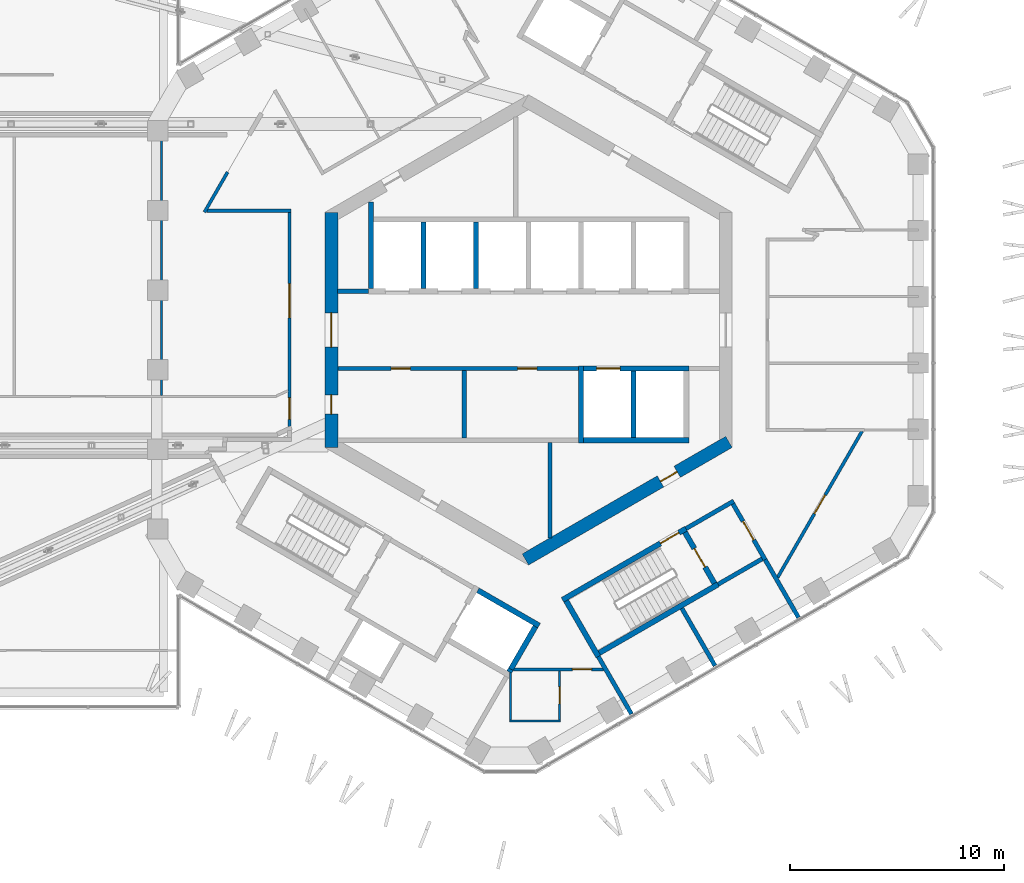
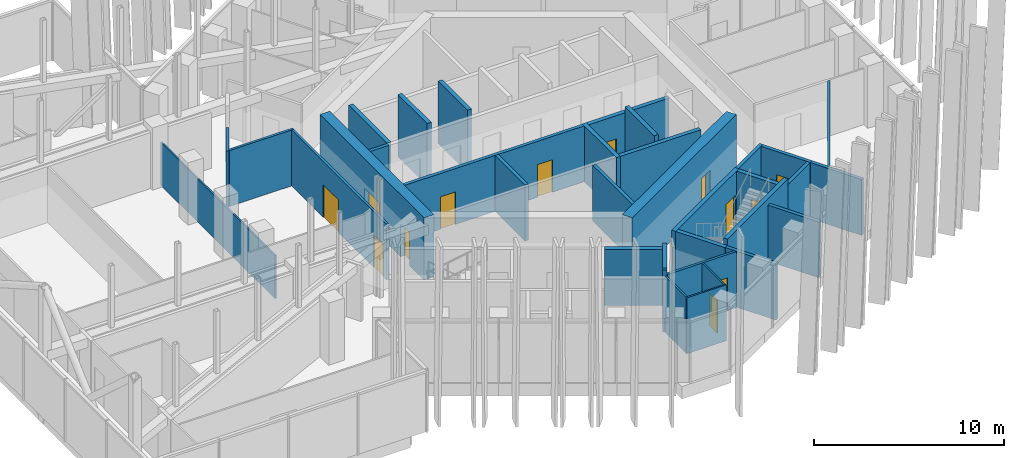
# One storey, part 19 of 28: 35 walls, 14 doors, 14 openings.
"""IFC4 building model written with IfcOpenShell, lengths in metres."""

from ifc_helpers import new_model, si_unit, direction, frame, frame_2d, origin, place, context, subcontext, project, spatial, rectangle, extrude, material, layer, layer_set, type_object, element, fill, save


model = new_model("IFC4")

# Units and contexts
model_context = context("Model", 3, precision=1e-05, world=origin(), true_north=direction((0.0, 1.0)))
body_context = subcontext(model_context, "Body", "Model", "MODEL_VIEW")
ifc_project = project(units=[si_unit("LENGTHUNIT", "METRE"), si_unit("AREAUNIT", "SQUARE_METRE"), si_unit("VOLUMEUNIT", "CUBIC_METRE"), si_unit("PLANEANGLEUNIT", "RADIAN"), si_unit("MASSUNIT", "GRAM", prefix="KILO")], contexts=[model_context])

# Site, building, storey
site_placement = place(None, origin())
site = spatial("IfcSite", under=ifc_project, at=site_placement, CompositionType="ELEMENT")
building_placement = place(site_placement, origin())
building = spatial("IfcBuilding", under=site, at=building_placement, Name="Ayvan Gate Tower", CompositionType="ELEMENT")
storey_placement = place(building_placement, frame((0.0, 0.0, 202.10009765625)))
storey = spatial("IfcBuildingStorey", under=building, at=storey_placement, Name="L54", CompositionType="ELEMENT", Elevation=202.10009765625)

# Wall, openings, doors
ifc_material_1 = material(Name="Concrete C60/75", Category="concrete")
ifc_layer_1 = layer(ifc_material_1, 0.60009765625)
ifc_layer_set_1 = layer_set([ifc_layer_1], Name="Concrete C60/75")
wall_type_1 = type_object("IfcWallType", Name="Core wall 600 C60/75", PredefinedType="SHEAR", material=ifc_layer_set_1)
wall_1_placement = place(storey_placement, frame((-9.199951171875, 5.48486328125, 0.0), z_axis=(0.0, 0.0, 1.0), x_axis=(0.0, -1.0, 0.0)))
wall_1 = element("IfcWall", 1, at=wall_1_placement, inside=storey, type_object=wall_type_1, Name="CORE-L54-3", PredefinedType="SHEAR", context=body_context, shape_type="SweptSolid", body=[
    extrude(rectangle(XDim=10.9697265625, YDim=0.60009765625, at=frame_2d((5.48486328125, 0.0))), origin(), (0.0, 0.0, 1.0), 4.0),
])
opening_1_placement = place(wall_1_placement, frame((8.51611328125, 0.0, 0.0)))
opening_1 = element("IfcOpeningElement", 2, at=opening_1_placement, cuts=wall_1, Name="Opening L54-D49", PredefinedType="OPENING", context=body_context, shape_type="SweptSolid", body=[
    extrude(rectangle(XDim=0.89990234375, YDim=2.10009765625, at=frame_2d((0.449951171875, 1.050048828125))), frame((0.0, 0.31005859375, 0.0), z_axis=(0.0, -1.0, 0.0), x_axis=(1.0, 0.0, 0.0)), (0.0, 0.0, 1.0), 0.6201171875),
])
opening_2_placement = place(wall_1_placement, frame((4.684814453125, 0.0, 0.0)))
opening_2 = element("IfcOpeningElement", 3, at=opening_2_placement, cuts=wall_1, Name="Opening L54-D51", PredefinedType="OPENING", context=body_context, shape_type="SweptSolid", body=[
    extrude(rectangle(XDim=1.60009765625, YDim=2.10009765625, at=frame_2d((0.800048828125, 1.050048828125))), frame((0.0, 0.31005859375, 0.0), z_axis=(0.0, -1.0, 0.0), x_axis=(1.0, 0.0, 0.0)), (0.0, 0.0, 1.0), 0.6201171875),
])
ifc_material_2 = material(Name="Timber door leaf", Category="wood")
door_type_1 = type_object("IfcDoorType", Name="DT-1600", OperationType="NOTDEFINED", PredefinedType="DOOR", material=ifc_material_2)
door_1_placement = place(opening_2_placement, origin())
door_1 = element("IfcDoor", 4, at=door_1_placement, inside=storey, type_object=door_type_1, Name="CD-L54-51", OperationType="SINGLE_SWING_LEFT", OverallHeight=2.10009765625, OverallWidth=1.60009765625, PredefinedType="DOOR", context=body_context, shape_type="SweptSolid", body=[
    extrude(rectangle(XDim=1.60009765625, YDim=2.10009765625, at=frame_2d((0.800048828125, 1.050048828125))), frame((0.0, 0.02490234375, 0.0), z_axis=(0.0, -1.0, 0.0), x_axis=(1.0, 0.0, 0.0)), (0.0, 0.0, 1.0), 0.050048828125),
])
fill(opening_2, door_1)
door_type_2 = type_object("IfcDoorType", Name="DT-900", OperationType="NOTDEFINED", PredefinedType="DOOR", material=ifc_material_2)
door_2_placement = place(opening_1_placement, origin())
door_2 = element("IfcDoor", 5, at=door_2_placement, inside=storey, type_object=door_type_2, Name="CD-L54-49", OperationType="SINGLE_SWING_LEFT", OverallHeight=2.10009765625, OverallWidth=0.89990234375, PredefinedType="DOOR", context=body_context, shape_type="SweptSolid", body=[
    extrude(rectangle(XDim=0.89990234375, YDim=2.10009765625, at=frame_2d((0.449951171875, 1.050048828125))), frame((0.0, 0.02490234375, 0.0), z_axis=(0.0, -1.0, 0.0), x_axis=(1.0, 0.0, 0.0)), (0.0, 0.0, 1.0), 0.050048828125),
])
fill(opening_1, door_2)

# Wall, opening, door
wall_2_placement = place(storey_placement, frame((-0.14990234375, -10.7099609375, 0.0), z_axis=(0.0, 0.0, 1.0), x_axis=(0.866023993627, 0.500002442456, 0.0)))
wall_2 = element("IfcWall", 6, at=wall_2_placement, inside=storey, type_object=wall_type_1, Name="CORE-L54-5", PredefinedType="SHEAR", context=body_context, shape_type="SweptSolid", body=[
    extrude(rectangle(XDim=10.9697265625, YDim=0.60009765625, at=frame_2d((5.48486328125, 0.0))), origin(), (0.0, 0.0, 1.0), 4.0),
])
opening_3_placement = place(wall_2_placement, frame((7.28125, 0.0, 0.0)))
opening_3 = element("IfcOpeningElement", 7, at=opening_3_placement, cuts=wall_2, Name="Opening L54-D48", PredefinedType="OPENING", context=body_context, shape_type="SweptSolid", body=[
    extrude(rectangle(XDim=0.89990234375, YDim=2.10009765625, at=frame_2d((0.449951171875, 1.050048828125))), frame((0.0, 0.31005859375, 0.0), z_axis=(0.0, -1.0, 0.0), x_axis=(1.0, 0.0, 0.0)), (0.0, 0.0, 1.0), 0.6201171875),
])
door_3_placement = place(opening_3_placement, origin())
door_3 = element("IfcDoor", 8, at=door_3_placement, inside=storey, type_object=door_type_2, Name="CD-L54-48", OperationType="SINGLE_SWING_RIGHT", OverallHeight=2.10009765625, OverallWidth=0.89990234375, PredefinedType="DOOR", context=body_context, shape_type="SweptSolid", body=[
    extrude(rectangle(XDim=0.89990234375, YDim=2.10009765625, at=frame_2d((0.449951171875, 1.050048828125))), frame((0.0, 0.02490234375, 0.0), z_axis=(0.0, -1.0, 0.0), x_axis=(1.0, 0.0, 0.0)), (0.0, 0.0, 1.0), 0.050048828125),
])
fill(opening_3, door_3)

# Walls
ifc_material_3 = material(Name="Plasterboard on steel stud", Category="steel")
ifc_layer_2 = layer(ifc_material_3, 0.14990234375)
ifc_layer_set_2 = layer_set([ifc_layer_2], Name="Plasterboard on steel stud")
wall_type_2 = type_object("IfcWallType", Name="WT-CORR-150", PredefinedType="PARTITIONING", material=ifc_layer_set_2)
wall_3_placement = place(storey_placement, frame((-15.115966796875, 5.494384765625, 0.0), z_axis=(0.0, 0.0, 1.0), x_axis=(0.499918713684, 0.866072329375, 0.0)))
element("IfcWall", 9, at=wall_3_placement, inside=storey, type_object=wall_type_2, Name="IW-L54-024", PredefinedType="PARTITIONING", context=body_context, shape_type="SweptSolid", body=[
    extrude(rectangle(XDim=2.153564453125, YDim=0.14990234375, at=frame_2d((1.07666015625, 0.0))), origin(), (0.0, 0.0, 1.0), 3.599853515625),
])
wall_4_placement = place(storey_placement, frame((-11.074951171875, 5.5595703125, 0.0), z_axis=(0.0, 0.0, 1.0), x_axis=(-1.0, 0.0, 0.0)))
element("IfcWall", 10, at=wall_4_placement, inside=storey, type_object=wall_type_2, Name="IW-L54-039", PredefinedType="PARTITIONING", context=body_context, shape_type="SweptSolid", body=[
    extrude(rectangle(XDim=3.928466796875, YDim=0.14990234375, at=frame_2d((1.96435546875, 0.0))), origin(), (0.0, 0.0, 1.0), 3.599853515625),
])

# Wall, openings, doors
wall_5_placement = place(storey_placement, frame((-11.14990234375, -4.5029296875, 0.0), z_axis=(0.0, 0.0, 1.0), x_axis=(0.0, 1.0, 0.0)))
wall_5 = element("IfcWall", 11, at=wall_5_placement, inside=storey, type_object=wall_type_2, Name="IW-L54-041", PredefinedType="PARTITIONING", context=body_context, shape_type="SweptSolid", body=[
    extrude(rectangle(XDim=9.987548828125, YDim=0.14990234375, at=frame_2d((4.99365234375, 0.0))), origin(), (0.0, 0.0, 1.0), 3.599853515625),
])
opening_4_placement = place(wall_5_placement, frame((0.33349609375, 0.0, 0.0)))
opening_4 = element("IfcOpeningElement", 12, at=opening_4_placement, cuts=wall_5, Name="Opening L54-D37", PredefinedType="OPENING", context=body_context, shape_type="SweptSolid", body=[
    extrude(rectangle(XDim=1.0, YDim=2.10009765625, at=frame_2d((0.5, 1.050048828125))), frame((0.0, 0.0849609375, 0.0), z_axis=(0.0, -1.0, 0.0), x_axis=(1.0, 0.0, 0.0)), (0.0, 0.0, 1.0), 0.169921875),
])
opening_5_placement = place(wall_5_placement, frame((5.058837890625, 0.0, 0.0)))
opening_5 = element("IfcOpeningElement", 13, at=opening_5_placement, cuts=wall_5, Name="Opening L54-D38", PredefinedType="OPENING", context=body_context, shape_type="SweptSolid", body=[
    extrude(rectangle(XDim=1.60009765625, YDim=2.10009765625, at=frame_2d((0.800048828125, 1.050048828125))), frame((0.0, 0.0849609375, 0.0), z_axis=(0.0, -1.0, 0.0), x_axis=(1.0, 0.0, 0.0)), (0.0, 0.0, 1.0), 0.169921875),
])
door_type_3 = type_object("IfcDoorType", Name="DT-1000", OperationType="NOTDEFINED", PredefinedType="DOOR", material=ifc_material_2)
door_4_placement = place(opening_4_placement, origin())
door_4 = element("IfcDoor", 14, at=door_4_placement, inside=storey, type_object=door_type_3, Name="ID-L54-037", OperationType="SINGLE_SWING_LEFT", OverallHeight=2.10009765625, OverallWidth=1.0, PredefinedType="DOOR", context=body_context, shape_type="SweptSolid", body=[
    extrude(rectangle(XDim=1.0, YDim=2.10009765625, at=frame_2d((0.5, 1.050048828125))), frame((0.0, 0.02490234375, 0.0), z_axis=(0.0, -1.0, 0.0), x_axis=(1.0, 0.0, 0.0)), (0.0, 0.0, 1.0), 0.050048828125),
])
fill(opening_4, door_4)
door_5_placement = place(opening_5_placement, origin())
door_5 = element("IfcDoor", 15, at=door_5_placement, inside=storey, type_object=door_type_1, Name="ID-L54-038", OperationType="SINGLE_SWING_RIGHT", OverallHeight=2.10009765625, OverallWidth=1.60009765625, PredefinedType="DOOR", context=body_context, shape_type="SweptSolid", body=[
    extrude(rectangle(XDim=1.60009765625, YDim=2.10009765625, at=frame_2d((0.800048828125, 1.050048828125))), frame((0.0, 0.02490234375, 0.0), z_axis=(0.0, -1.0, 0.0), x_axis=(1.0, 0.0, 0.0)), (0.0, 0.0, 1.0), 0.050048828125),
])
fill(opening_5, door_5)

# Wall, opening, door
wall_6_placement = place(storey_placement, frame((-0.705322265625, -15.838134765625, 0.0), z_axis=(0.0, 0.0, 1.0), x_axis=(1.0, 0.0, 0.0)))
wall_6 = element("IfcWall", 16, at=wall_6_placement, inside=storey, type_object=wall_type_2, Name="IW-L54-085", PredefinedType="PARTITIONING", context=body_context, shape_type="SweptSolid", body=[
    extrude(rectangle(XDim=4.206787109375, YDim=0.14990234375, at=frame_2d((2.103515625, 0.0))), origin(), (0.0, 0.0, 1.0), 3.599853515625),
])
opening_6_placement = place(wall_6_placement, frame((2.747314453125, 0.0, 0.0)))
opening_6 = element("IfcOpeningElement", 17, at=opening_6_placement, cuts=wall_6, Name="Opening L54-D27", PredefinedType="OPENING", context=body_context, shape_type="SweptSolid", body=[
    extrude(rectangle(XDim=0.89990234375, YDim=2.10009765625, at=frame_2d((0.449951171875, 1.050048828125))), frame((0.0, 0.0849609375, 0.0), z_axis=(0.0, -1.0, 0.0), x_axis=(1.0, 0.0, 0.0)), (0.0, 0.0, 1.0), 0.169921875),
])
door_6_placement = place(opening_6_placement, origin())
door_6 = element("IfcDoor", 18, at=door_6_placement, inside=storey, type_object=door_type_2, Name="ID-L54-027", OperationType="SINGLE_SWING_LEFT", OverallHeight=2.10009765625, OverallWidth=0.89990234375, PredefinedType="DOOR", context=body_context, shape_type="SweptSolid", body=[
    extrude(rectangle(XDim=0.89990234375, YDim=2.10009765625, at=frame_2d((0.449951171875, 1.050048828125))), frame((0.0, 0.02490234375, 0.0), z_axis=(0.0, -1.0, 0.0), x_axis=(1.0, 0.0, 0.0)), (0.0, 0.0, 1.0), 0.050048828125),
])
fill(opening_6, door_6)

wall_7_placement = place(storey_placement, frame((15.558349609375, -4.728271484375, 0.0), z_axis=(0.0, 0.0, 1.0), x_axis=(-0.500004989119, -0.866022523296, 0.0)))
wall_7 = element("IfcWall", 19, at=wall_7_placement, inside=storey, type_object=wall_type_2, Name="IW-L54-130", PredefinedType="PARTITIONING", context=body_context, shape_type="SweptSolid", body=[
    extrude(rectangle(XDim=7.87890625, YDim=0.14990234375, at=frame_2d((3.939453125, 0.0))), origin(), (0.0, 0.0, 1.0), 3.599853515625),
])
opening_7_placement = place(wall_7_placement, frame((3.439208984375, 0.0, 0.0)))
opening_7 = element("IfcOpeningElement", 20, at=opening_7_placement, cuts=wall_7, Name="Opening L54-D29", PredefinedType="OPENING", context=body_context, shape_type="SweptSolid", body=[
    extrude(rectangle(XDim=1.0, YDim=2.10009765625, at=frame_2d((0.5, 1.050048828125))), frame((0.0, 0.0849609375, 0.0), z_axis=(0.0, -1.0, 0.0), x_axis=(1.0, 0.0, 0.0)), (0.0, 0.0, 1.0), 0.169921875),
])
door_7_placement = place(opening_7_placement, origin())
door_7 = element("IfcDoor", 21, at=door_7_placement, inside=storey, type_object=door_type_3, Name="ID-L54-029", OperationType="SINGLE_SWING_LEFT", OverallHeight=2.10009765625, OverallWidth=1.0, PredefinedType="DOOR", context=body_context, shape_type="SweptSolid", body=[
    extrude(rectangle(XDim=1.0, YDim=2.10009765625, at=frame_2d((0.5, 1.050048828125))), frame((0.0, 0.02490234375, 0.0), z_axis=(0.0, -1.0, 0.0), x_axis=(1.0, 0.0, 0.0)), (0.0, 0.0, 1.0), 0.050048828125),
])
fill(opening_7, door_7)

# Walls
ifc_layer_3 = layer(ifc_material_3, 0.10009765625)
ifc_layer_set_3 = layer_set([ifc_layer_3], Name="Plasterboard on steel stud")
wall_type_3 = type_object("IfcWallType", Name="WT-PART-100", PredefinedType="PARTITIONING", material=ifc_layer_set_3)
wall_8_placement = place(storey_placement, frame((-17.115478515625, -3.050048828125, 0.0), z_axis=(0.0, 0.0, 1.0), x_axis=(0.0, 1.0, 0.0)))
element("IfcWall", 22, at=wall_8_placement, inside=storey, type_object=wall_type_3, Name="IW-L54-022", PredefinedType="PARTITIONING", context=body_context, shape_type="SweptSolid", body=[
    extrude(rectangle(XDim=12.050048828125, YDim=0.10009765625, at=frame_2d((6.02490234375, 0.0))), origin(), (0.0, 0.0, 1.0), 2.77490234375),
])
wall_9_placement = place(storey_placement, frame((-0.897705078125, -18.238037109375, 0.0), z_axis=(0.0, 0.0, 1.0), x_axis=(1.0, 0.0, 0.0)))
element("IfcWall", 23, at=wall_9_placement, inside=storey, type_object=wall_type_3, Name="IW-L54-073", PredefinedType="PARTITIONING", context=body_context, shape_type="SweptSolid", body=[
    extrude(rectangle(XDim=2.400146484375, YDim=0.10009765625, at=frame_2d((1.2001953125, 0.0))), origin(), (0.0, 0.0, 1.0), 3.599853515625),
])
wall_10_placement = place(storey_placement, frame((-0.84765625, -15.9931640625, 0.0), z_axis=(0.0, 0.0, 1.0), x_axis=(0.0, -1.0, 0.0)))
element("IfcWall", 24, at=wall_10_placement, inside=storey, type_object=wall_type_3, Name="IW-L54-074", PredefinedType="PARTITIONING", context=body_context, shape_type="SweptSolid", body=[
    extrude(rectangle(XDim=2.19482421875, YDim=0.10009765625, at=frame_2d((1.097412109375, 0.0))), origin(), (0.0, 0.0, 1.0), 3.599853515625),
])

# Wall, opening, door
wall_11_placement = place(storey_placement, frame((1.452392578125, -18.18798828125, 0.0), z_axis=(0.0, 0.0, 1.0), x_axis=(0.0, 1.0, 0.0)))
wall_11 = element("IfcWall", 25, at=wall_11_placement, inside=storey, type_object=wall_type_3, Name="IW-L54-084", PredefinedType="PARTITIONING", context=body_context, shape_type="SweptSolid", body=[
    extrude(rectangle(XDim=2.27490234375, YDim=0.10009765625, at=frame_2d((1.137451171875, 0.0))), origin(), (0.0, 0.0, 1.0), 3.599853515625),
])
opening_8_placement = place(wall_11_placement, frame((0.737548828125, 0.0, 0.0)))
opening_8 = element("IfcOpeningElement", 26, at=opening_8_placement, cuts=wall_11, Name="Opening L54-D28", PredefinedType="OPENING", context=body_context, shape_type="SweptSolid", body=[
    extrude(rectangle(XDim=0.800048828125, YDim=2.10009765625, at=frame_2d((0.39990234375, 1.050048828125))), frame((0.0, 0.06005859375, 0.0), z_axis=(0.0, -1.0, 0.0), x_axis=(1.0, 0.0, 0.0)), (0.0, 0.0, 1.0), 0.1201171875),
])
door_type_4 = type_object("IfcDoorType", Name="DT-800", OperationType="NOTDEFINED", PredefinedType="DOOR", material=ifc_material_2)
door_8_placement = place(opening_8_placement, origin())
door_8 = element("IfcDoor", 27, at=door_8_placement, inside=storey, type_object=door_type_4, Name="ID-L54-028", OperationType="SINGLE_SWING_RIGHT", OverallHeight=2.10009765625, OverallWidth=0.800048828125, PredefinedType="DOOR", context=body_context, shape_type="SweptSolid", body=[
    extrude(rectangle(XDim=0.800048828125, YDim=2.10009765625, at=frame_2d((0.39990234375, 1.050048828125))), frame((0.0, 0.02490234375, 0.0), z_axis=(0.0, -1.0, 0.0), x_axis=(1.0, 0.0, 0.0)), (0.0, 0.0, 1.0), 0.050048828125),
])
fill(opening_8, door_8)

# Walls
ifc_layer_4 = layer(ifc_material_3, 0.199951171875)
ifc_layer_set_4 = layer_set([ifc_layer_4], Name="Plasterboard on steel stud")
wall_type_4 = type_object("IfcWallType", Name="WT-PLUMB-200", PredefinedType="PLUMBINGWALL", material=ifc_layer_set_4)
for number, where, z_axis, x_axis, name in (
    (28, (3.255615234375, -15.23876953125, 0.0), (0.0, 0.0, 1.0), (0.499981900942, -0.866035853028, 0.0), "IW-L54-094"),
    (29, (7.152587890625, -12.98876953125, 0.0), (0.0, 0.0, 1.0), (0.499981900942, -0.866035853028, 0.0), "IW-L54-103"),
):
    element("IfcWall", number, at=place(storey_placement, frame(where, z_axis=z_axis, x_axis=x_axis)), inside=storey, type_object=wall_type_4, Name=name, PredefinedType="PLUMBINGWALL", context=body_context, shape_type="SweptSolid", body=[
        extrude(rectangle(XDim=3.09521484375, YDim=0.199951171875, at=frame_2d((1.547607421875, 0.0))), origin(), (0.0, 0.0, 1.0), 3.599853515625),
    ])
wall_12_placement = place(storey_placement, frame((11.037353515625, -10.71728515625, 0.0), z_axis=(0.0, 0.0, 1.0), x_axis=(0.499993381564, -0.866029224906, 0.0)))
element("IfcWall", 30, at=wall_12_placement, inside=storey, type_object=wall_type_4, Name="IW-L54-115", PredefinedType="PLUMBINGWALL", context=body_context, shape_type="SweptSolid", body=[
    extrude(rectangle(XDim=3.1201171875, YDim=0.199951171875, at=frame_2d((1.56005859375, 0.0))), origin(), (0.0, 0.0, 1.0), 3.599853515625),
])
wall_13_placement = place(storey_placement, frame((10.900634765625, -10.6806640625, 0.0), z_axis=(0.0, 0.0, 1.0), x_axis=(-0.866007538022, -0.500030943131, 0.0)))
element("IfcWall", 31, at=wall_13_placement, inside=storey, type_object=wall_type_4, Name="IW-L54-116", PredefinedType="PLUMBINGWALL", context=body_context, shape_type="SweptSolid", body=[
    extrude(rectangle(XDim=2.374755859375, YDim=0.199951171875, at=frame_2d((1.1875, 0.0))), origin(), (0.0, 0.0, 1.0), 3.599853515625),
])
ifc_layer_5 = layer(ifc_material_3, 0.199951171875)
ifc_layer_set_5 = layer_set([ifc_layer_5], Name="Plasterboard on steel stud")
wall_type_5 = type_object("IfcWallType", Name="WT-RATED-200", PredefinedType="PARTITIONING", material=ifc_layer_set_5)
wall_14_placement = place(storey_placement, frame((-8.89990234375, 1.800048828125, 0.0), z_axis=(0.0, 0.0, 1.0), x_axis=(1.0, 0.0, 0.0)))
element("IfcWall", 32, at=wall_14_placement, inside=storey, type_object=wall_type_5, Name="IW-L54-043", PredefinedType="PARTITIONING", context=body_context, shape_type="SweptSolid", body=[
    extrude(rectangle(XDim=1.425048828125, YDim=0.199951171875, at=frame_2d((0.71240234375, 0.0))), origin(), (0.0, 0.0, 1.0), 3.599853515625),
])
wall_15_placement = place(storey_placement, frame((-3.0, -1.89990234375, 0.0), z_axis=(0.0, 0.0, 1.0), x_axis=(0.0, -1.0, 0.0)))
element("IfcWall", 33, at=wall_15_placement, inside=storey, type_object=wall_type_5, Name="IW-L54-060", PredefinedType="PARTITIONING", context=body_context, shape_type="SweptSolid", body=[
    extrude(rectangle(XDim=3.150146484375, YDim=0.199951171875, at=frame_2d((1.5751953125, 0.0))), origin(), (0.0, 0.0, 1.0), 3.599853515625),
])

# Wall, openings, doors
wall_16_placement = place(storey_placement, frame((-8.89990234375, -1.800048828125, 0.0), z_axis=(0.0, 0.0, 1.0), x_axis=(1.0, 0.0, 0.0)))
wall_16 = element("IfcWall", 34, at=wall_16_placement, inside=storey, type_object=wall_type_5, Name="IW-L54-061", PredefinedType="PARTITIONING", context=body_context, shape_type="SweptSolid", body=[
    extrude(rectangle(XDim=11.22509765625, YDim=0.199951171875, at=frame_2d((5.612548828125, 0.0))), origin(), (0.0, 0.0, 1.0), 3.599853515625),
])
opening_9_placement = place(wall_16_placement, frame((2.485107421875, 0.0, 0.0)))
opening_9 = element("IfcOpeningElement", 35, at=opening_9_placement, cuts=wall_16, Name="Opening L54-D08", PredefinedType="OPENING", context=body_context, shape_type="SweptSolid", body=[
    extrude(rectangle(XDim=0.89990234375, YDim=2.10009765625, at=frame_2d((0.449951171875, 1.050048828125))), frame((0.0, 0.10986328125, 0.0), z_axis=(0.0, -1.0, 0.0), x_axis=(1.0, 0.0, 0.0)), (0.0, 0.0, 1.0), 0.219970703125),
])
opening_10_placement = place(wall_16_placement, frame((8.387451171875, 0.0, 0.0)))
opening_10 = element("IfcOpeningElement", 36, at=opening_10_placement, cuts=wall_16, Name="Opening L54-D09", PredefinedType="OPENING", context=body_context, shape_type="SweptSolid", body=[
    extrude(rectangle(XDim=0.89990234375, YDim=2.10009765625, at=frame_2d((0.449951171875, 1.050048828125))), frame((0.0, 0.10986328125, 0.0), z_axis=(0.0, -1.0, 0.0), x_axis=(1.0, 0.0, 0.0)), (0.0, 0.0, 1.0), 0.219970703125),
])
door_9_placement = place(opening_9_placement, origin())
door_9 = element("IfcDoor", 37, at=door_9_placement, inside=storey, type_object=door_type_2, Name="ID-L54-008", OperationType="SINGLE_SWING_RIGHT", OverallHeight=2.10009765625, OverallWidth=0.89990234375, PredefinedType="DOOR", context=body_context, shape_type="SweptSolid", body=[
    extrude(rectangle(XDim=0.89990234375, YDim=2.10009765625, at=frame_2d((0.449951171875, 1.050048828125))), frame((0.0, 0.02490234375, 0.0), z_axis=(0.0, -1.0, 0.0), x_axis=(1.0, 0.0, 0.0)), (0.0, 0.0, 1.0), 0.050048828125),
])
fill(opening_9, door_9)
door_10_placement = place(opening_10_placement, origin())
door_10 = element("IfcDoor", 38, at=door_10_placement, inside=storey, type_object=door_type_2, Name="ID-L54-009", OperationType="SINGLE_SWING_LEFT", OverallHeight=2.10009765625, OverallWidth=0.89990234375, PredefinedType="DOOR", context=body_context, shape_type="SweptSolid", body=[
    extrude(rectangle(XDim=0.89990234375, YDim=2.10009765625, at=frame_2d((0.449951171875, 1.050048828125))), frame((0.0, 0.02490234375, 0.0), z_axis=(0.0, -1.0, 0.0), x_axis=(1.0, 0.0, 0.0)), (0.0, 0.0, 1.0), 0.050048828125),
])
fill(opening_10, door_10)

# Walls
wall_17_placement = place(storey_placement, frame((1.0, -5.25, 0.0), z_axis=(0.0, 0.0, 1.0), x_axis=(0.0, -1.0, 0.0)))
element("IfcWall", 39, at=wall_17_placement, inside=storey, type_object=wall_type_5, Name="IW-L54-083", PredefinedType="PARTITIONING", context=body_context, shape_type="SweptSolid", body=[
    extrude(rectangle(XDim=4.449462890625, YDim=0.199951171875, at=frame_2d((2.224609375, 0.0))), origin(), (0.0, 0.0, 1.0), 3.599853515625),
])
wall_18_placement = place(storey_placement, frame((7.343994140625, -9.27001953125, 0.0), z_axis=(0.0, 0.0, 1.0), x_axis=(0.866005588531, 0.500034319456, 0.0)))
element("IfcWall", 40, at=wall_18_placement, inside=storey, type_object=wall_type_5, Name="IW-L54-106", PredefinedType="PARTITIONING", context=body_context, shape_type="SweptSolid", body=[
    extrude(rectangle(XDim=2.574951171875, YDim=0.199951171875, at=frame_2d((1.28759765625, 0.0))), origin(), (0.0, 0.0, 1.0), 3.599853515625),
])

# Wall, opening, door
wall_19_placement = place(storey_placement, frame((9.537353515625, -8.119140625, 0.0), z_axis=(0.0, 0.0, 1.0), x_axis=(0.499990139034, -0.866031096941, 0.0)))
wall_19 = element("IfcWall", 41, at=wall_19_placement, inside=storey, type_object=wall_type_5, Name="IW-L54-114", PredefinedType="PARTITIONING", context=body_context, shape_type="SweptSolid", body=[
    extrude(rectangle(XDim=3.0, YDim=0.199951171875, at=frame_2d((1.5, 0.0))), origin(), (0.0, 0.0, 1.0), 3.599853515625),
])
opening_11_placement = place(wall_19_placement, frame((0.93505859375, 0.0, 0.0)))
opening_11 = element("IfcOpeningElement", 42, at=opening_11_placement, cuts=wall_19, Name="Opening L54-D19", PredefinedType="OPENING", context=body_context, shape_type="SweptSolid", body=[
    extrude(rectangle(XDim=1.0, YDim=2.10009765625, at=frame_2d((0.5, 1.050048828125))), frame((0.0, 0.10986328125, 0.0), z_axis=(0.0, -1.0, 0.0), x_axis=(1.0, 0.0, 0.0)), (0.0, 0.0, 1.0), 0.219970703125),
])
door_11_placement = place(opening_11_placement, origin())
door_11 = element("IfcDoor", 43, at=door_11_placement, inside=storey, type_object=door_type_3, Name="ID-L54-019", OperationType="SINGLE_SWING_LEFT", OverallHeight=2.10009765625, OverallWidth=1.0, PredefinedType="DOOR", context=body_context, shape_type="SweptSolid", body=[
    extrude(rectangle(XDim=1.0, YDim=2.10009765625, at=frame_2d((0.5, 1.050048828125))), frame((0.0, 0.02490234375, 0.0), z_axis=(0.0, -1.0, 0.0), x_axis=(1.0, 0.0, 0.0)), (0.0, 0.0, 1.0), 0.050048828125),
])
fill(opening_11, door_11)

# Walls
ifc_material_4 = material(Name="Concrete C50/60", Category="concrete")
ifc_layer_6 = layer(ifc_material_4, 0.25)
ifc_layer_set_6 = layer_set([ifc_layer_6], Name="Concrete C50/60")
wall_type_6 = type_object("IfcWallType", Name="WT-RC-250", PredefinedType="SHEAR", material=ifc_layer_set_6)
wall_20_placement = place(storey_placement, frame((-7.35009765625, 1.925048828125, 0.0), z_axis=(0.0, 0.0, 1.0), x_axis=(0.0, 1.0, 0.0)))
element("IfcWall", 44, at=wall_20_placement, inside=storey, type_object=wall_type_6, Name="IW-L54-050", PredefinedType="SHEAR", context=body_context, shape_type="SweptSolid", body=[
    extrude(rectangle(XDim=4.0361328125, YDim=0.25, at=frame_2d((2.01806640625, 0.0))), origin(), (0.0, 0.0, 1.0), 3.599853515625),
])
wall_21_placement = place(storey_placement, frame((-4.89990234375, 5.02490234375, 0.0), z_axis=(0.0, 0.0, 1.0), x_axis=(0.0, -1.0, 0.0)))
element("IfcWall", 45, at=wall_21_placement, inside=storey, type_object=wall_type_6, Name="IW-L54-055", PredefinedType="SHEAR", context=body_context, shape_type="SweptSolid", body=[
    extrude(rectangle(XDim=3.099853515625, YDim=0.25, at=frame_2d((1.5498046875, 0.0))), origin(), (0.0, 0.0, 1.0), 4.0),
])
wall_22_placement = place(storey_placement, frame((-2.3642578125, -12.14501953125, 0.0), z_axis=(0.0, 0.0, 1.0), x_axis=(0.866040211805, -0.499974350878, 0.0)))
element("IfcWall", 46, at=wall_22_placement, inside=storey, type_object=wall_type_6, Name="IW-L54-067", PredefinedType="SHEAR", context=body_context, shape_type="SweptSolid", body=[
    extrude(rectangle(XDim=3.300048828125, YDim=0.25, at=frame_2d((1.64990234375, 0.0))), origin(), (0.0, 0.0, 1.0), 3.599853515625),
])
wall_23_placement = place(storey_placement, frame((-2.449951171875, 5.02490234375, 0.0), z_axis=(0.0, 0.0, 1.0), x_axis=(0.0, -1.0, 0.0)))
element("IfcWall", 47, at=wall_23_placement, inside=storey, type_object=wall_type_6, Name="IW-L54-068", PredefinedType="SHEAR", context=body_context, shape_type="SweptSolid", body=[
    extrude(rectangle(XDim=3.099853515625, YDim=0.25, at=frame_2d((1.5498046875, 0.0))), origin(), (0.0, 0.0, 1.0), 4.0),
])
wall_24_placement = place(storey_placement, frame((-0.822509765625, -15.82470703125, 0.0), z_axis=(0.0, 0.0, 1.0), x_axis=(-0.500431039639, -0.865776399866, 0.0)))
element("IfcWall", 48, at=wall_24_placement, inside=storey, type_object=wall_type_6, Name="IW-L54-076", PredefinedType="SHEAR", context=body_context, shape_type="SweptSolid", body=[
    extrude(rectangle(XDim=0.158935546875, YDim=0.25, at=frame_2d((0.07958984375, 0.0))), origin(), (0.0, 0.0, 1.0), 4.0),
])
wall_25_placement = place(storey_placement, frame((0.322998046875, -13.8408203125, 0.0), z_axis=(0.0, 0.0, 1.0), x_axis=(-0.500086702647, -0.865975340201, 0.0)))
element("IfcWall", 49, at=wall_25_placement, inside=storey, type_object=wall_type_6, Name="IW-L54-080", PredefinedType="SHEAR", context=body_context, shape_type="SweptSolid", body=[
    extrude(rectangle(XDim=2.30126953125, YDim=0.25, at=frame_2d((1.150634765625, 0.0))), origin(), (0.0, 0.0, 1.0), 4.0),
])

# Wall, opening, door
wall_26_placement = place(storey_placement, frame((1.584716796875, -12.594970703125, 0.0), z_axis=(0.0, 0.0, 1.0), x_axis=(0.866036417653, 0.499980922934, 0.0)))
wall_26 = element("IfcWall", 50, at=wall_26_placement, inside=storey, type_object=wall_type_6, Name="IW-L54-086", PredefinedType="SHEAR", context=body_context, shape_type="SweptSolid", body=[
    extrude(rectangle(XDim=6.650146484375, YDim=0.25, at=frame_2d((3.3251953125, 0.0))), origin(), (0.0, 0.0, 1.0), 3.599853515625),
])
opening_12_placement = place(wall_26_placement, frame((5.27490234375, 0.0, 0.0)))
opening_12 = element("IfcOpeningElement", 51, at=opening_12_placement, cuts=wall_26, Name="Opening L54-D18", PredefinedType="OPENING", context=body_context, shape_type="SweptSolid", body=[
    extrude(rectangle(XDim=1.0, YDim=2.10009765625, at=frame_2d((0.5, 1.050048828125))), frame((0.0, 0.135009765625, 0.0), z_axis=(0.0, -1.0, 0.0), x_axis=(1.0, 0.0, 0.0)), (0.0, 0.0, 1.0), 0.27001953125),
])
door_12_placement = place(opening_12_placement, origin())
door_12 = element("IfcDoor", 52, at=door_12_placement, inside=storey, type_object=door_type_3, Name="ID-L54-018", OperationType="SINGLE_SWING_RIGHT", OverallHeight=2.10009765625, OverallWidth=1.0, PredefinedType="DOOR", context=body_context, shape_type="SweptSolid", body=[
    extrude(rectangle(XDim=1.0, YDim=2.10009765625, at=frame_2d((0.5, 1.050048828125))), frame((0.0, 0.02490234375, 0.0), z_axis=(0.0, -1.0, 0.0), x_axis=(1.0, 0.0, 0.0)), (0.0, 0.0, 1.0), 0.050048828125),
])
fill(opening_12, door_12)

# Walls
wall_27_placement = place(storey_placement, frame((2.449951171875, -5.27490234375, 0.0), z_axis=(0.0, 0.0, 1.0), x_axis=(0.0, 1.0, 0.0)))
element("IfcWall", 53, at=wall_27_placement, inside=storey, type_object=wall_type_6, Name="IW-L54-089", PredefinedType="SHEAR", context=body_context, shape_type="SweptSolid", body=[
    extrude(rectangle(XDim=3.599853515625, YDim=0.25, at=frame_2d((1.7998046875, 0.0))), origin(), (0.0, 0.0, 1.0), 3.599853515625),
])
wall_28_placement = place(storey_placement, frame((3.255615234375, -15.23876953125, 0.0), z_axis=(0.0, 0.0, 1.0), x_axis=(-0.50002537861, 0.866010750942, 0.0)))
element("IfcWall", 54, at=wall_28_placement, inside=storey, type_object=wall_type_6, Name="IW-L54-093", PredefinedType="SHEAR", context=body_context, shape_type="SweptSolid", body=[
    extrude(rectangle(XDim=2.999755859375, YDim=0.25, at=frame_2d((1.5, 0.0))), origin(), (0.0, 0.0, 1.0), 3.599853515625),
])
wall_29_placement = place(storey_placement, frame((2.574951171875, -5.14990234375, 0.0), z_axis=(0.0, 0.0, 1.0), x_axis=(1.0, 0.0, 0.0)))
element("IfcWall", 55, at=wall_29_placement, inside=storey, type_object=wall_type_6, Name="IW-L54-097", PredefinedType="SHEAR", context=body_context, shape_type="SweptSolid", body=[
    extrude(rectangle(XDim=4.900146484375, YDim=0.25, at=frame_2d((2.4501953125, 0.0))), origin(), (0.0, 0.0, 1.0), 3.599853515625),
])
wall_30_placement = place(storey_placement, frame((4.89990234375, -1.925048828125, 0.0), z_axis=(0.0, 0.0, 1.0), x_axis=(0.0, -1.0, 0.0)))
element("IfcWall", 56, at=wall_30_placement, inside=storey, type_object=wall_type_6, Name="IW-L54-098", PredefinedType="SHEAR", context=body_context, shape_type="SweptSolid", body=[
    extrude(rectangle(XDim=3.099853515625, YDim=0.25, at=frame_2d((1.5498046875, 0.0))), origin(), (0.0, 0.0, 1.0), 4.0),
])

# Wall, opening, door
wall_31_placement = place(storey_placement, frame((2.574951171875, -1.800048828125, 0.0), z_axis=(0.0, 0.0, 1.0), x_axis=(1.0, 0.0, 0.0)))
wall_31 = element("IfcWall", 57, at=wall_31_placement, inside=storey, type_object=wall_type_6, Name="IW-L54-100", PredefinedType="SHEAR", context=body_context, shape_type="SweptSolid", body=[
    extrude(rectangle(XDim=4.900146484375, YDim=0.25, at=frame_2d((2.4501953125, 0.0))), origin(), (0.0, 0.0, 1.0), 3.599853515625),
])
opening_13_placement = place(wall_31_placement, frame((0.597412109375, 0.0, 0.0)))
opening_13 = element("IfcOpeningElement", 58, at=opening_13_placement, cuts=wall_31, Name="Opening L54-LD-SV", PredefinedType="OPENING", context=body_context, shape_type="SweptSolid", body=[
    extrude(rectangle(XDim=1.10009765625, YDim=2.10009765625, at=frame_2d((0.550048828125, 1.050048828125))), frame((0.0, 0.135009765625, 0.0), z_axis=(0.0, -1.0, 0.0), x_axis=(1.0, 0.0, 0.0)), (0.0, 0.0, 1.0), 0.27001953125),
])
ifc_material_5 = material(Name="Stainless steel landing door", Category="steel")
door_type_5 = type_object("IfcDoorType", Name="DT-LANDING-1100", OperationType="SLIDING_TO_LEFT", PredefinedType="DOOR", material=ifc_material_5)
door_13_placement = place(opening_13_placement, origin())
door_13 = element("IfcDoor", 59, at=door_13_placement, inside=storey, type_object=door_type_5, Name="ID-L54-007", OperationType="SLIDING_TO_LEFT", OverallHeight=2.10009765625, OverallWidth=1.10009765625, PredefinedType="DOOR", context=body_context, shape_type="SweptSolid", body=[
    extrude(rectangle(XDim=1.10009765625, YDim=2.10009765625, at=frame_2d((0.550048828125, 1.050048828125))), frame((0.0, 0.02490234375, 0.0), z_axis=(0.0, -1.0, 0.0), x_axis=(1.0, 0.0, 0.0)), (0.0, 0.0, 1.0), 0.050048828125),
])
fill(opening_13, door_13)

# Wall
wall_32_placement = place(storey_placement, frame((3.30126953125, -15.068115234375, 0.0), z_axis=(0.0, 0.0, 1.0), x_axis=(0.866035036182, 0.499983315828, 0.0)))
element("IfcWall", 60, at=wall_32_placement, inside=storey, type_object=wall_type_6, Name="IW-L54-104", PredefinedType="SHEAR", context=body_context, shape_type="SweptSolid", body=[
    extrude(rectangle(XDim=6.400146484375, YDim=0.25, at=frame_2d((3.2001953125, 0.0))), origin(), (0.0, 0.0, 1.0), 4.0),
])

# Wall, opening, door
wall_33_placement = place(storey_placement, frame((7.298095703125, -9.44091796875, 0.0), z_axis=(0.0, 0.0, 1.0), x_axis=(0.500034990121, -0.866005201286, 0.0)))
wall_33 = element("IfcWall", 61, at=wall_33_placement, inside=storey, type_object=wall_type_6, Name="IW-L54-105", PredefinedType="SHEAR", context=body_context, shape_type="SweptSolid", body=[
    extrude(rectangle(XDim=2.749755859375, YDim=0.25, at=frame_2d((1.375, 0.0))), origin(), (0.0, 0.0, 1.0), 3.599853515625),
])
opening_14_placement = place(wall_33_placement, frame((0.875, 0.0, 0.0)))
opening_14 = element("IfcOpeningElement", 62, at=opening_14_placement, cuts=wall_33, Name="Opening L54-D20", PredefinedType="OPENING", context=body_context, shape_type="SweptSolid", body=[
    extrude(rectangle(XDim=1.0, YDim=2.10009765625, at=frame_2d((0.5, 1.050048828125))), frame((0.0, 0.135009765625, 0.0), z_axis=(0.0, -1.0, 0.0), x_axis=(1.0, 0.0, 0.0)), (0.0, 0.0, 1.0), 0.27001953125),
])
door_14_placement = place(opening_14_placement, origin())
door_14 = element("IfcDoor", 63, at=door_14_placement, inside=storey, type_object=door_type_3, Name="ID-L54-020", OperationType="SINGLE_SWING_RIGHT", OverallHeight=2.10009765625, OverallWidth=1.0, PredefinedType="DOOR", context=body_context, shape_type="SweptSolid", body=[
    extrude(rectangle(XDim=1.0, YDim=2.10009765625, at=frame_2d((0.5, 1.050048828125))), frame((0.0, 0.02490234375, 0.0), z_axis=(0.0, -1.0, 0.0), x_axis=(1.0, 0.0, 0.0)), (0.0, 0.0, 1.0), 0.050048828125),
])
fill(opening_14, door_14)

save(model, "model.ifc")
